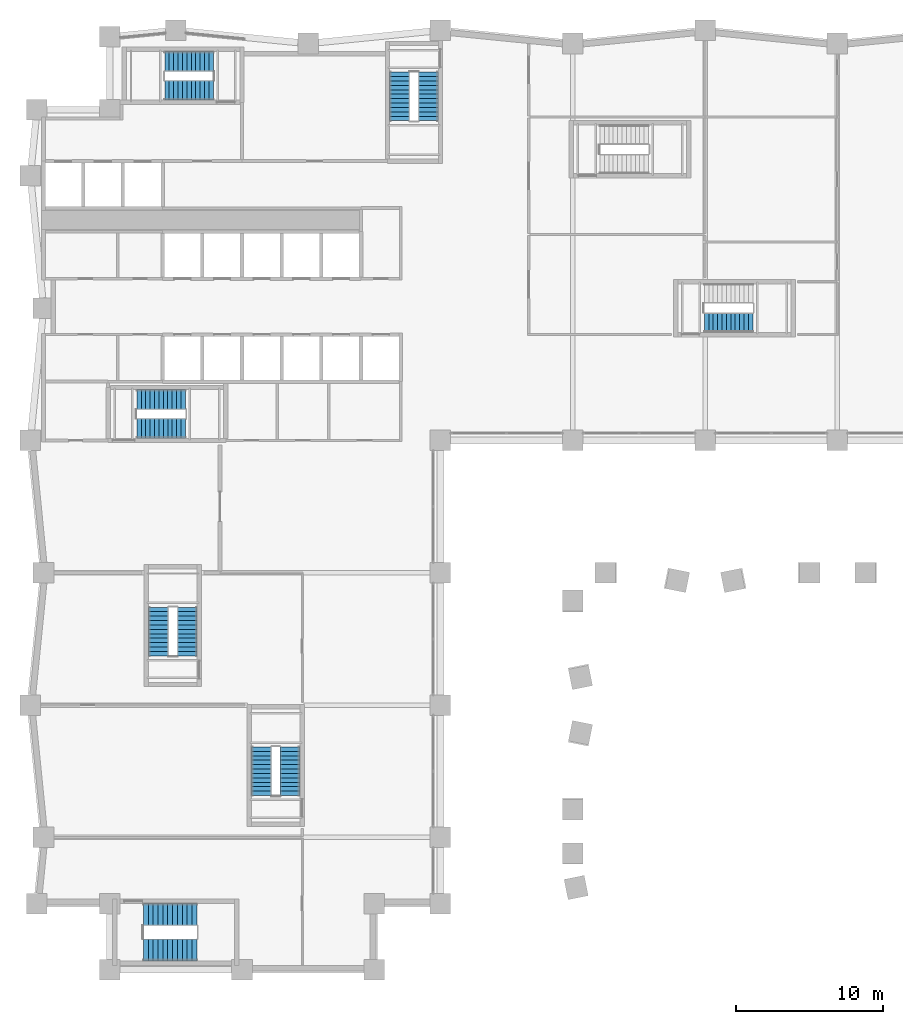
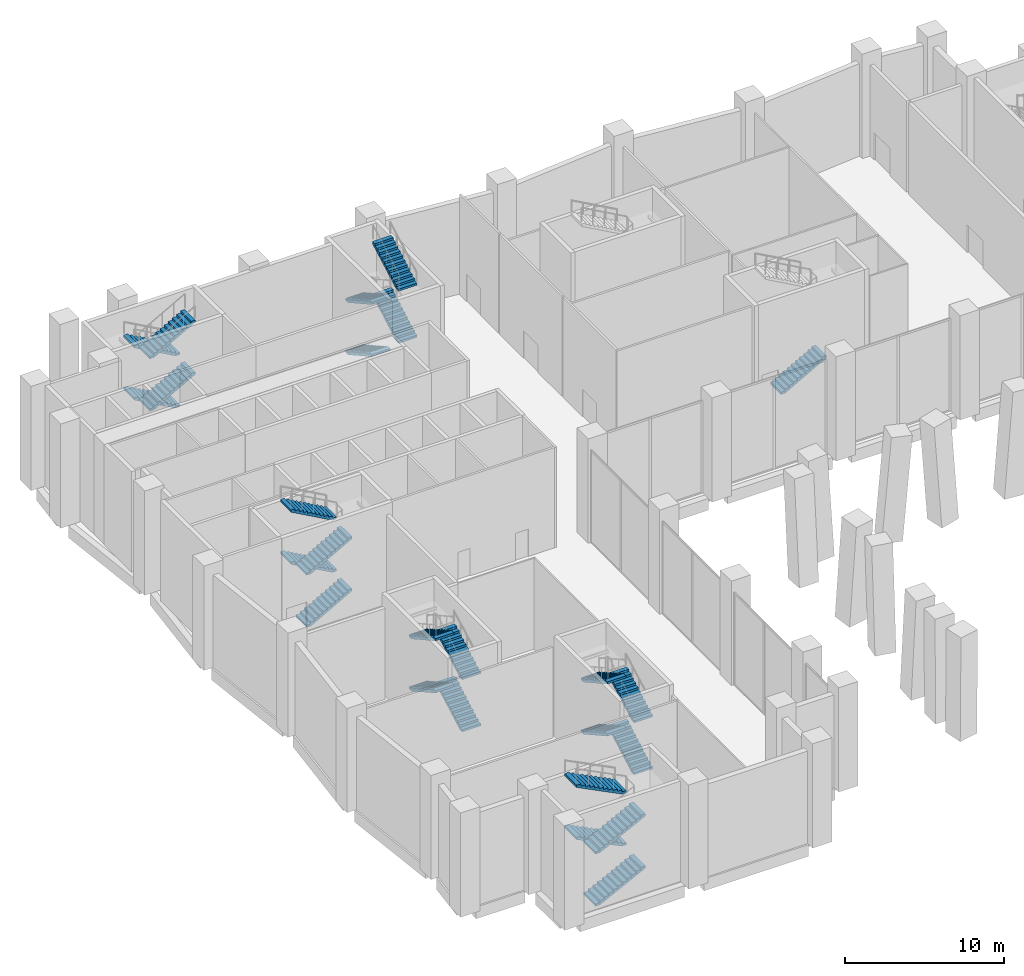
# One storey, part 14 of 19: 25 stair flights, 7 elements without a shape of their own.
"""IFC4 building model written with IfcOpenShell, lengths in metres."""

from ifc_helpers import new_model, si_unit, direction, frame, origin, place, context, subcontext, project, spatial, polyline, outline, extrude, material, type_object, element, aggregate, save


model = new_model("IFC4")

# Units and contexts
model_context = context("Model", 3, precision=1e-05, world=origin(), true_north=direction((0.0, 1.0)))
body_context = subcontext(model_context, "Body", "Model", "MODEL_VIEW")
ifc_project = project(units=[si_unit("LENGTHUNIT", "METRE"), si_unit("AREAUNIT", "SQUARE_METRE"), si_unit("VOLUMEUNIT", "CUBIC_METRE"), si_unit("PLANEANGLEUNIT", "RADIAN"), si_unit("MASSUNIT", "GRAM", prefix="KILO")], contexts=[model_context])

# Site, building, storey
site_placement = place(None, origin())
site = spatial("IfcSite", under=ifc_project, at=site_placement, CompositionType="ELEMENT")
building_placement = place(site_placement, origin())
building = spatial("IfcBuilding", under=site, at=building_placement, Name="Brondeck Convention Tower", CompositionType="ELEMENT")
storey_placement = place(building_placement, frame((0.0, 0.0, 19.5)))
storey = spatial("IfcBuildingStorey", under=building, at=storey_placement, Name="L03", CompositionType="ELEMENT", Elevation=19.5)

# Stair, stair flights
ifc_material = material(Name="Precast concrete C50/60", Category="concrete")
stair_type_1 = type_object("IfcStairType", Name="Core stair 48 risers 166.67 mm riser 300 mm going 1350 wide", PredefinedType="HALF_TURN_STAIR", material=ifc_material)
stair_1_placement = place(storey_placement, origin())
stair_1 = element("IfcStair", 1, at=stair_1_placement, inside=storey, type_object=stair_type_1, Name="ST-1 L03 stair", PredefinedType="HALF_TURN_STAIR")
stair_flight_type_1 = type_object("IfcStairFlightType", Name="Core stair flight 48 risers 166.67 mm riser 300 mm going 1350 wide", PredefinedType="STRAIGHT", material=ifc_material)
stair_flight_1_placement = place(storey_placement, frame((6.35009765625, 36.824951171875, 0.0), z_axis=(0.0, 0.0, 1.0), x_axis=(1.0, 0.0, 0.0)))
stair_flight_1 = element("IfcStairFlight", 2, at=stair_flight_1_placement, type_object=stair_flight_type_1, Name="ST-1 flight 1", NumberOfRisers=12, NumberOfTreads=11, PredefinedType="STRAIGHT", RiserHeight=0.166666667, TreadLength=0.3, context=body_context, shape_type="SweptSolid", body=[
    extrude(outline(polyline([(0.0, 0.0), (0.0, 0.166748046875), (0.300048828125, 0.166748046875), (0.300048828125, 0.333251953125), (0.60009765625, 0.333251953125), (0.60009765625, 0.5), (0.89990234375, 0.5), (0.89990234375, 0.666748046875), (1.199951171875, 0.666748046875), (1.199951171875, 0.833251953125), (1.5, 0.833251953125), (1.5, 1.0), (1.800048828125, 1.0), (1.800048828125, 1.166748046875), (2.10009765625, 1.166748046875), (2.10009765625, 1.333251953125), (2.39990234375, 1.333251953125), (2.39990234375, 1.5), (2.699951171875, 1.5), (2.699951171875, 1.666748046875), (3.0, 1.666748046875), (3.0, 1.833251953125), (3.300048828125, 1.833251953125), (3.300048828125, 2.0), (3.300048828125, 1.661865234375), (0.30859375, 0.0), (0.0, 0.0)])), frame((0.0, 0.675048828125, 0.0), z_axis=(0.0, -1.0, 0.0), x_axis=(1.0, 0.0, 0.0)), (0.0, 0.0, 1.0), 1.35009765625),
])
stair_flight_2_placement = place(storey_placement, frame((9.64990234375, 38.77490234375, 2.0), z_axis=(0.0, 0.0, 1.0), x_axis=(-1.0, 0.0, 0.0)))
stair_flight_2 = element("IfcStairFlight", 3, at=stair_flight_2_placement, type_object=stair_flight_type_1, Name="ST-1 flight 2", NumberOfRisers=12, NumberOfTreads=11, PredefinedType="STRAIGHT", RiserHeight=0.166666667, TreadLength=0.3, context=body_context, shape_type="SweptSolid", body=[
    extrude(outline(polyline([(0.0, 0.0), (0.0, 0.166748046875), (0.300048828125, 0.166748046875), (0.300048828125, 0.333251953125), (0.60009765625, 0.333251953125), (0.60009765625, 0.5), (0.89990234375, 0.5), (0.89990234375, 0.666748046875), (1.199951171875, 0.666748046875), (1.199951171875, 0.833251953125), (1.5, 0.833251953125), (1.5, 1.0), (1.800048828125, 1.0), (1.800048828125, 1.166748046875), (2.10009765625, 1.166748046875), (2.10009765625, 1.333251953125), (2.39990234375, 1.333251953125), (2.39990234375, 1.5), (2.699951171875, 1.5), (2.699951171875, 1.666748046875), (3.0, 1.666748046875), (3.0, 1.833251953125), (3.300048828125, 1.833251953125), (3.300048828125, 2.0), (3.300048828125, 1.661865234375), (0.30859375, 0.0), (0.0, 0.0)])), frame((0.0, 0.675048828125, 0.0), z_axis=(0.0, -1.0, 0.0), x_axis=(1.0, 0.0, 0.0)), (0.0, 0.0, 1.0), 1.35009765625),
])
stair_flight_3_placement = place(storey_placement, frame((6.35009765625, 36.824951171875, 4.0), z_axis=(0.0, 0.0, 1.0), x_axis=(1.0, 0.0, 0.0)))
stair_flight_3 = element("IfcStairFlight", 4, at=stair_flight_3_placement, type_object=stair_flight_type_1, Name="ST-1 flight 3", NumberOfRisers=12, NumberOfTreads=11, PredefinedType="STRAIGHT", RiserHeight=0.166666667, TreadLength=0.3, context=body_context, shape_type="SweptSolid", body=[
    extrude(outline(polyline([(0.0, 0.0), (0.0, 0.166748046875), (0.300048828125, 0.166748046875), (0.300048828125, 0.333251953125), (0.60009765625, 0.333251953125), (0.60009765625, 0.5), (0.89990234375, 0.5), (0.89990234375, 0.666748046875), (1.199951171875, 0.666748046875), (1.199951171875, 0.833251953125), (1.5, 0.833251953125), (1.5, 1.0), (1.800048828125, 1.0), (1.800048828125, 1.166748046875), (2.10009765625, 1.166748046875), (2.10009765625, 1.333251953125), (2.39990234375, 1.333251953125), (2.39990234375, 1.5), (2.699951171875, 1.5), (2.699951171875, 1.666748046875), (3.0, 1.666748046875), (3.0, 1.833251953125), (3.300048828125, 1.833251953125), (3.300048828125, 2.0), (3.300048828125, 1.661865234375), (0.30859375, 0.0), (0.0, 0.0)])), frame((0.0, 0.675048828125, 0.0), z_axis=(0.0, -1.0, 0.0), x_axis=(1.0, 0.0, 0.0)), (0.0, 0.0, 1.0), 1.35009765625),
])
stair_flight_4_placement = place(storey_placement, frame((9.64990234375, 38.77490234375, 6.0), z_axis=(0.0, 0.0, 1.0), x_axis=(-1.0, 0.0, 0.0)))
stair_flight_4 = element("IfcStairFlight", 5, at=stair_flight_4_placement, type_object=stair_flight_type_1, Name="ST-1 flight 4", NumberOfRisers=12, NumberOfTreads=11, PredefinedType="STRAIGHT", RiserHeight=0.166666667, TreadLength=0.3, context=body_context, shape_type="SweptSolid", body=[
    extrude(outline(polyline([(0.0, 0.0), (0.0, 0.166748046875), (0.300048828125, 0.166748046875), (0.300048828125, 0.333251953125), (0.60009765625, 0.333251953125), (0.60009765625, 0.5), (0.89990234375, 0.5), (0.89990234375, 0.666748046875), (1.199951171875, 0.666748046875), (1.199951171875, 0.833251953125), (1.5, 0.833251953125), (1.5, 1.0), (1.800048828125, 1.0), (1.800048828125, 1.166748046875), (2.10009765625, 1.166748046875), (2.10009765625, 1.333251953125), (2.39990234375, 1.333251953125), (2.39990234375, 1.5), (2.699951171875, 1.5), (2.699951171875, 1.666748046875), (3.0, 1.666748046875), (3.0, 1.833251953125), (3.300048828125, 1.833251953125), (3.300048828125, 2.0), (3.300048828125, 1.661865234375), (0.30859375, 0.0), (0.0, 0.0)])), frame((0.0, 0.675048828125, 0.0), z_axis=(0.0, -1.0, 0.0), x_axis=(1.0, 0.0, 0.0)), (0.0, 0.0, 1.0), 1.35009765625),
])
aggregate(stair_1, [stair_flight_1, stair_flight_2, stair_flight_3, stair_flight_4])

stair_2_placement = place(storey_placement, origin())
stair_2 = element("IfcStair", 6, at=stair_2_placement, inside=storey, type_object=stair_type_1, Name="ST-2 L03 stair", PredefinedType="HALF_TURN_STAIR")
stair_flight_5_placement = place(storey_placement, frame((24.22509765625, 61.050048828125, 0.0), z_axis=(0.0, 0.0, 1.0), x_axis=(0.0, -1.0, 0.0)))
stair_flight_5 = element("IfcStairFlight", 7, at=stair_flight_5_placement, type_object=stair_flight_type_1, Name="ST-2 flight 1", NumberOfRisers=12, NumberOfTreads=11, PredefinedType="STRAIGHT", RiserHeight=0.166666667, TreadLength=0.3, context=body_context, shape_type="SweptSolid", body=[
    extrude(outline(polyline([(0.0, 0.0), (0.0, 0.166748046875), (0.300048828125, 0.166748046875), (0.300048828125, 0.333251953125), (0.60009765625, 0.333251953125), (0.60009765625, 0.5), (0.89990234375, 0.5), (0.89990234375, 0.666748046875), (1.199951171875, 0.666748046875), (1.199951171875, 0.833251953125), (1.5, 0.833251953125), (1.5, 1.0), (1.800048828125, 1.0), (1.800048828125, 1.166748046875), (2.10009765625, 1.166748046875), (2.10009765625, 1.333251953125), (2.39990234375, 1.333251953125), (2.39990234375, 1.5), (2.699951171875, 1.5), (2.699951171875, 1.666748046875), (3.0, 1.666748046875), (3.0, 1.833251953125), (3.300048828125, 1.833251953125), (3.300048828125, 2.0), (3.300048828125, 1.661865234375), (0.30859375, 0.0), (0.0, 0.0)])), frame((0.0, 0.675048828125, 0.0), z_axis=(0.0, -1.0, 0.0), x_axis=(1.0, 0.0, 0.0)), (0.0, 0.0, 1.0), 1.35009765625),
])
stair_flight_6_placement = place(storey_placement, frame((26.175048828125, 57.75, 2.0), z_axis=(0.0, 0.0, 1.0), x_axis=(0.0, 1.0, 0.0)))
stair_flight_6 = element("IfcStairFlight", 8, at=stair_flight_6_placement, type_object=stair_flight_type_1, Name="ST-2 flight 2", NumberOfRisers=12, NumberOfTreads=11, PredefinedType="STRAIGHT", RiserHeight=0.166666667, TreadLength=0.3, context=body_context, shape_type="SweptSolid", body=[
    extrude(outline(polyline([(0.0, 0.0), (0.0, 0.166748046875), (0.300048828125, 0.166748046875), (0.300048828125, 0.333251953125), (0.60009765625, 0.333251953125), (0.60009765625, 0.5), (0.89990234375, 0.5), (0.89990234375, 0.666748046875), (1.199951171875, 0.666748046875), (1.199951171875, 0.833251953125), (1.5, 0.833251953125), (1.5, 1.0), (1.800048828125, 1.0), (1.800048828125, 1.166748046875), (2.10009765625, 1.166748046875), (2.10009765625, 1.333251953125), (2.39990234375, 1.333251953125), (2.39990234375, 1.5), (2.699951171875, 1.5), (2.699951171875, 1.666748046875), (3.0, 1.666748046875), (3.0, 1.833251953125), (3.300048828125, 1.833251953125), (3.300048828125, 2.0), (3.300048828125, 1.661865234375), (0.30859375, 0.0), (0.0, 0.0)])), frame((0.0, 0.675048828125, 0.0), z_axis=(0.0, -1.0, 0.0), x_axis=(1.0, 0.0, 0.0)), (0.0, 0.0, 1.0), 1.35009765625),
])
stair_flight_7_placement = place(storey_placement, frame((24.22509765625, 61.050048828125, 4.0), z_axis=(0.0, 0.0, 1.0), x_axis=(0.0, -1.0, 0.0)))
stair_flight_7 = element("IfcStairFlight", 9, at=stair_flight_7_placement, type_object=stair_flight_type_1, Name="ST-2 flight 3", NumberOfRisers=12, NumberOfTreads=11, PredefinedType="STRAIGHT", RiserHeight=0.166666667, TreadLength=0.3, context=body_context, shape_type="SweptSolid", body=[
    extrude(outline(polyline([(0.0, 0.0), (0.0, 0.166748046875), (0.300048828125, 0.166748046875), (0.300048828125, 0.333251953125), (0.60009765625, 0.333251953125), (0.60009765625, 0.5), (0.89990234375, 0.5), (0.89990234375, 0.666748046875), (1.199951171875, 0.666748046875), (1.199951171875, 0.833251953125), (1.5, 0.833251953125), (1.5, 1.0), (1.800048828125, 1.0), (1.800048828125, 1.166748046875), (2.10009765625, 1.166748046875), (2.10009765625, 1.333251953125), (2.39990234375, 1.333251953125), (2.39990234375, 1.5), (2.699951171875, 1.5), (2.699951171875, 1.666748046875), (3.0, 1.666748046875), (3.0, 1.833251953125), (3.300048828125, 1.833251953125), (3.300048828125, 2.0), (3.300048828125, 1.661865234375), (0.30859375, 0.0), (0.0, 0.0)])), frame((0.0, 0.675048828125, 0.0), z_axis=(0.0, -1.0, 0.0), x_axis=(1.0, 0.0, 0.0)), (0.0, 0.0, 1.0), 1.35009765625),
])
stair_flight_8_placement = place(storey_placement, frame((26.175048828125, 57.75, 6.0), z_axis=(0.0, 0.0, 1.0), x_axis=(0.0, 1.0, 0.0)))
stair_flight_8 = element("IfcStairFlight", 10, at=stair_flight_8_placement, type_object=stair_flight_type_1, Name="ST-2 flight 4", NumberOfRisers=12, NumberOfTreads=11, PredefinedType="STRAIGHT", RiserHeight=0.166666667, TreadLength=0.3, context=body_context, shape_type="SweptSolid", body=[
    extrude(outline(polyline([(0.0, 0.0), (0.0, 0.166748046875), (0.300048828125, 0.166748046875), (0.300048828125, 0.333251953125), (0.60009765625, 0.333251953125), (0.60009765625, 0.5), (0.89990234375, 0.5), (0.89990234375, 0.666748046875), (1.199951171875, 0.666748046875), (1.199951171875, 0.833251953125), (1.5, 0.833251953125), (1.5, 1.0), (1.800048828125, 1.0), (1.800048828125, 1.166748046875), (2.10009765625, 1.166748046875), (2.10009765625, 1.333251953125), (2.39990234375, 1.333251953125), (2.39990234375, 1.5), (2.699951171875, 1.5), (2.699951171875, 1.666748046875), (3.0, 1.666748046875), (3.0, 1.833251953125), (3.300048828125, 1.833251953125), (3.300048828125, 2.0), (3.300048828125, 1.661865234375), (0.30859375, 0.0), (0.0, 0.0)])), frame((0.0, 0.675048828125, 0.0), z_axis=(0.0, -1.0, 0.0), x_axis=(1.0, 0.0, 0.0)), (0.0, 0.0, 1.0), 1.35009765625),
])
aggregate(stair_2, [stair_flight_5, stair_flight_6, stair_flight_7, stair_flight_8])

stair_3_placement = place(storey_placement, origin())
stair_3 = element("IfcStair", 11, at=stair_3_placement, inside=storey, type_object=stair_type_1, Name="ST-3 L03 stair", PredefinedType="HALF_TURN_STAIR")
stair_flight_9_placement = place(storey_placement, frame((11.550048828125, 61.77490234375, 0.0), z_axis=(0.0, 0.0, 1.0), x_axis=(-1.0, 0.0, 0.0)))
stair_flight_9 = element("IfcStairFlight", 12, at=stair_flight_9_placement, type_object=stair_flight_type_1, Name="ST-3 flight 1", NumberOfRisers=12, NumberOfTreads=11, PredefinedType="STRAIGHT", RiserHeight=0.166666667, TreadLength=0.3, context=body_context, shape_type="SweptSolid", body=[
    extrude(outline(polyline([(0.0, 0.0), (0.0, 0.166748046875), (0.300048828125, 0.166748046875), (0.300048828125, 0.333251953125), (0.60009765625, 0.333251953125), (0.60009765625, 0.5), (0.89990234375, 0.5), (0.89990234375, 0.666748046875), (1.199951171875, 0.666748046875), (1.199951171875, 0.833251953125), (1.5, 0.833251953125), (1.5, 1.0), (1.800048828125, 1.0), (1.800048828125, 1.166748046875), (2.10009765625, 1.166748046875), (2.10009765625, 1.333251953125), (2.39990234375, 1.333251953125), (2.39990234375, 1.5), (2.699951171875, 1.5), (2.699951171875, 1.666748046875), (3.0, 1.666748046875), (3.0, 1.833251953125), (3.300048828125, 1.833251953125), (3.300048828125, 2.0), (3.300048828125, 1.661865234375), (0.30859375, 0.0), (0.0, 0.0)])), frame((0.0, 0.675048828125, 0.0), z_axis=(0.0, -1.0, 0.0), x_axis=(1.0, 0.0, 0.0)), (0.0, 0.0, 1.0), 1.35009765625),
])
stair_flight_10_placement = place(storey_placement, frame((8.25, 59.824951171875, 2.0), z_axis=(0.0, 0.0, 1.0), x_axis=(1.0, 0.0, 0.0)))
stair_flight_10 = element("IfcStairFlight", 13, at=stair_flight_10_placement, type_object=stair_flight_type_1, Name="ST-3 flight 2", NumberOfRisers=12, NumberOfTreads=11, PredefinedType="STRAIGHT", RiserHeight=0.166666667, TreadLength=0.3, context=body_context, shape_type="SweptSolid", body=[
    extrude(outline(polyline([(0.0, 0.0), (0.0, 0.166748046875), (0.300048828125, 0.166748046875), (0.300048828125, 0.333251953125), (0.60009765625, 0.333251953125), (0.60009765625, 0.5), (0.89990234375, 0.5), (0.89990234375, 0.666748046875), (1.199951171875, 0.666748046875), (1.199951171875, 0.833251953125), (1.5, 0.833251953125), (1.5, 1.0), (1.800048828125, 1.0), (1.800048828125, 1.166748046875), (2.10009765625, 1.166748046875), (2.10009765625, 1.333251953125), (2.39990234375, 1.333251953125), (2.39990234375, 1.5), (2.699951171875, 1.5), (2.699951171875, 1.666748046875), (3.0, 1.666748046875), (3.0, 1.833251953125), (3.300048828125, 1.833251953125), (3.300048828125, 2.0), (3.300048828125, 1.661865234375), (0.30859375, 0.0), (0.0, 0.0)])), frame((0.0, 0.675048828125, 0.0), z_axis=(0.0, -1.0, 0.0), x_axis=(1.0, 0.0, 0.0)), (0.0, 0.0, 1.0), 1.35009765625),
])
stair_flight_11_placement = place(storey_placement, frame((11.550048828125, 61.77490234375, 4.0), z_axis=(0.0, 0.0, 1.0), x_axis=(-1.0, 0.0, 0.0)))
stair_flight_11 = element("IfcStairFlight", 14, at=stair_flight_11_placement, type_object=stair_flight_type_1, Name="ST-3 flight 3", NumberOfRisers=12, NumberOfTreads=11, PredefinedType="STRAIGHT", RiserHeight=0.166666667, TreadLength=0.3, context=body_context, shape_type="SweptSolid", body=[
    extrude(outline(polyline([(0.0, 0.0), (0.0, 0.166748046875), (0.300048828125, 0.166748046875), (0.300048828125, 0.333251953125), (0.60009765625, 0.333251953125), (0.60009765625, 0.5), (0.89990234375, 0.5), (0.89990234375, 0.666748046875), (1.199951171875, 0.666748046875), (1.199951171875, 0.833251953125), (1.5, 0.833251953125), (1.5, 1.0), (1.800048828125, 1.0), (1.800048828125, 1.166748046875), (2.10009765625, 1.166748046875), (2.10009765625, 1.333251953125), (2.39990234375, 1.333251953125), (2.39990234375, 1.5), (2.699951171875, 1.5), (2.699951171875, 1.666748046875), (3.0, 1.666748046875), (3.0, 1.833251953125), (3.300048828125, 1.833251953125), (3.300048828125, 2.0), (3.300048828125, 1.661865234375), (0.30859375, 0.0), (0.0, 0.0)])), frame((0.0, 0.675048828125, 0.0), z_axis=(0.0, -1.0, 0.0), x_axis=(1.0, 0.0, 0.0)), (0.0, 0.0, 1.0), 1.35009765625),
])
stair_flight_12_placement = place(storey_placement, frame((8.25, 59.824951171875, 6.0), z_axis=(0.0, 0.0, 1.0), x_axis=(1.0, 0.0, 0.0)))
stair_flight_12 = element("IfcStairFlight", 15, at=stair_flight_12_placement, type_object=stair_flight_type_1, Name="ST-3 flight 4", NumberOfRisers=12, NumberOfTreads=11, PredefinedType="STRAIGHT", RiserHeight=0.166666667, TreadLength=0.3, context=body_context, shape_type="SweptSolid", body=[
    extrude(outline(polyline([(0.0, 0.0), (0.0, 0.166748046875), (0.300048828125, 0.166748046875), (0.300048828125, 0.333251953125), (0.60009765625, 0.333251953125), (0.60009765625, 0.5), (0.89990234375, 0.5), (0.89990234375, 0.666748046875), (1.199951171875, 0.666748046875), (1.199951171875, 0.833251953125), (1.5, 0.833251953125), (1.5, 1.0), (1.800048828125, 1.0), (1.800048828125, 1.166748046875), (2.10009765625, 1.166748046875), (2.10009765625, 1.333251953125), (2.39990234375, 1.333251953125), (2.39990234375, 1.5), (2.699951171875, 1.5), (2.699951171875, 1.666748046875), (3.0, 1.666748046875), (3.0, 1.833251953125), (3.300048828125, 1.833251953125), (3.300048828125, 2.0), (3.300048828125, 1.661865234375), (0.30859375, 0.0), (0.0, 0.0)])), frame((0.0, 0.675048828125, 0.0), z_axis=(0.0, -1.0, 0.0), x_axis=(1.0, 0.0, 0.0)), (0.0, 0.0, 1.0), 1.35009765625),
])
aggregate(stair_3, [stair_flight_9, stair_flight_10, stair_flight_11, stair_flight_12])

stair_4_placement = place(storey_placement, origin())
stair_4 = element("IfcStair", 16, at=stair_4_placement, inside=storey, type_object=stair_type_1, Name="ST-BE L03 stair", PredefinedType="HALF_TURN_STAIR")
stair_flight_13_placement = place(storey_placement, frame((9.77490234375, 21.35009765625, 0.0), z_axis=(0.0, 0.0, 1.0), x_axis=(0.0, 1.0, 0.0)))
stair_flight_13 = element("IfcStairFlight", 17, at=stair_flight_13_placement, type_object=stair_flight_type_1, Name="ST-BE flight 1", NumberOfRisers=12, NumberOfTreads=11, PredefinedType="STRAIGHT", RiserHeight=0.166666667, TreadLength=0.3, context=body_context, shape_type="SweptSolid", body=[
    extrude(outline(polyline([(0.0, 0.0), (0.0, 0.166748046875), (0.300048828125, 0.166748046875), (0.300048828125, 0.333251953125), (0.60009765625, 0.333251953125), (0.60009765625, 0.5), (0.89990234375, 0.5), (0.89990234375, 0.666748046875), (1.199951171875, 0.666748046875), (1.199951171875, 0.833251953125), (1.5, 0.833251953125), (1.5, 1.0), (1.800048828125, 1.0), (1.800048828125, 1.166748046875), (2.10009765625, 1.166748046875), (2.10009765625, 1.333251953125), (2.39990234375, 1.333251953125), (2.39990234375, 1.5), (2.699951171875, 1.5), (2.699951171875, 1.666748046875), (3.0, 1.666748046875), (3.0, 1.833251953125), (3.300048828125, 1.833251953125), (3.300048828125, 2.0), (3.300048828125, 1.661865234375), (0.30859375, 0.0), (0.0, 0.0)])), frame((0.0, 0.675048828125, 0.0), z_axis=(0.0, -1.0, 0.0), x_axis=(1.0, 0.0, 0.0)), (0.0, 0.0, 1.0), 1.35009765625),
])
stair_flight_14_placement = place(storey_placement, frame((7.824951171875, 24.64990234375, 2.0), z_axis=(0.0, 0.0, 1.0), x_axis=(0.0, -1.0, 0.0)))
stair_flight_14 = element("IfcStairFlight", 18, at=stair_flight_14_placement, type_object=stair_flight_type_1, Name="ST-BE flight 2", NumberOfRisers=12, NumberOfTreads=11, PredefinedType="STRAIGHT", RiserHeight=0.166666667, TreadLength=0.3, context=body_context, shape_type="SweptSolid", body=[
    extrude(outline(polyline([(0.0, 0.0), (0.0, 0.166748046875), (0.300048828125, 0.166748046875), (0.300048828125, 0.333251953125), (0.60009765625, 0.333251953125), (0.60009765625, 0.5), (0.89990234375, 0.5), (0.89990234375, 0.666748046875), (1.199951171875, 0.666748046875), (1.199951171875, 0.833251953125), (1.5, 0.833251953125), (1.5, 1.0), (1.800048828125, 1.0), (1.800048828125, 1.166748046875), (2.10009765625, 1.166748046875), (2.10009765625, 1.333251953125), (2.39990234375, 1.333251953125), (2.39990234375, 1.5), (2.699951171875, 1.5), (2.699951171875, 1.666748046875), (3.0, 1.666748046875), (3.0, 1.833251953125), (3.300048828125, 1.833251953125), (3.300048828125, 2.0), (3.300048828125, 1.661865234375), (0.30859375, 0.0), (0.0, 0.0)])), frame((0.0, 0.675048828125, 0.0), z_axis=(0.0, -1.0, 0.0), x_axis=(1.0, 0.0, 0.0)), (0.0, 0.0, 1.0), 1.35009765625),
])
stair_flight_15_placement = place(storey_placement, frame((9.77490234375, 21.35009765625, 4.0), z_axis=(0.0, 0.0, 1.0), x_axis=(0.0, 1.0, 0.0)))
stair_flight_15 = element("IfcStairFlight", 19, at=stair_flight_15_placement, type_object=stair_flight_type_1, Name="ST-BE flight 3", NumberOfRisers=12, NumberOfTreads=11, PredefinedType="STRAIGHT", RiserHeight=0.166666667, TreadLength=0.3, context=body_context, shape_type="SweptSolid", body=[
    extrude(outline(polyline([(0.0, 0.0), (0.0, 0.166748046875), (0.300048828125, 0.166748046875), (0.300048828125, 0.333251953125), (0.60009765625, 0.333251953125), (0.60009765625, 0.5), (0.89990234375, 0.5), (0.89990234375, 0.666748046875), (1.199951171875, 0.666748046875), (1.199951171875, 0.833251953125), (1.5, 0.833251953125), (1.5, 1.0), (1.800048828125, 1.0), (1.800048828125, 1.166748046875), (2.10009765625, 1.166748046875), (2.10009765625, 1.333251953125), (2.39990234375, 1.333251953125), (2.39990234375, 1.5), (2.699951171875, 1.5), (2.699951171875, 1.666748046875), (3.0, 1.666748046875), (3.0, 1.833251953125), (3.300048828125, 1.833251953125), (3.300048828125, 2.0), (3.300048828125, 1.661865234375), (0.30859375, 0.0), (0.0, 0.0)])), frame((0.0, 0.675048828125, 0.0), z_axis=(0.0, -1.0, 0.0), x_axis=(1.0, 0.0, 0.0)), (0.0, 0.0, 1.0), 1.35009765625),
])
stair_flight_16_placement = place(storey_placement, frame((7.824951171875, 24.64990234375, 6.0), z_axis=(0.0, 0.0, 1.0), x_axis=(0.0, -1.0, 0.0)))
stair_flight_16 = element("IfcStairFlight", 20, at=stair_flight_16_placement, type_object=stair_flight_type_1, Name="ST-BE flight 4", NumberOfRisers=12, NumberOfTreads=11, PredefinedType="STRAIGHT", RiserHeight=0.166666667, TreadLength=0.3, context=body_context, shape_type="SweptSolid", body=[
    extrude(outline(polyline([(0.0, 0.0), (0.0, 0.166748046875), (0.300048828125, 0.166748046875), (0.300048828125, 0.333251953125), (0.60009765625, 0.333251953125), (0.60009765625, 0.5), (0.89990234375, 0.5), (0.89990234375, 0.666748046875), (1.199951171875, 0.666748046875), (1.199951171875, 0.833251953125), (1.5, 0.833251953125), (1.5, 1.0), (1.800048828125, 1.0), (1.800048828125, 1.166748046875), (2.10009765625, 1.166748046875), (2.10009765625, 1.333251953125), (2.39990234375, 1.333251953125), (2.39990234375, 1.5), (2.699951171875, 1.5), (2.699951171875, 1.666748046875), (3.0, 1.666748046875), (3.0, 1.833251953125), (3.300048828125, 1.833251953125), (3.300048828125, 2.0), (3.300048828125, 1.661865234375), (0.30859375, 0.0), (0.0, 0.0)])), frame((0.0, 0.675048828125, 0.0), z_axis=(0.0, -1.0, 0.0), x_axis=(1.0, 0.0, 0.0)), (0.0, 0.0, 1.0), 1.35009765625),
])
aggregate(stair_4, [stair_flight_13, stair_flight_14, stair_flight_15, stair_flight_16])

# Stair, stair flight
stair_5_placement = place(storey_placement, origin())
stair_5 = element("IfcStair", 21, at=stair_5_placement, inside=storey, type_object=stair_type_1, Name="ST-AF L03 stair", PredefinedType="HALF_TURN_STAIR")
stair_flight_17_placement = place(storey_placement, frame((44.949951171875, 44.02490234375, 0.0), z_axis=(0.0, 0.0, 1.0), x_axis=(1.0, 0.0, 0.0)))
stair_flight_17 = element("IfcStairFlight", 22, at=stair_flight_17_placement, type_object=stair_flight_type_1, Name="ST-AF flight 1", NumberOfRisers=12, NumberOfTreads=11, PredefinedType="STRAIGHT", RiserHeight=0.166666667, TreadLength=0.3, context=body_context, shape_type="SweptSolid", body=[
    extrude(outline(polyline([(0.0, 0.0), (0.0, 0.166748046875), (0.300048828125, 0.166748046875), (0.300048828125, 0.333251953125), (0.60009765625, 0.333251953125), (0.60009765625, 0.5), (0.89990234375, 0.5), (0.89990234375, 0.666748046875), (1.199951171875, 0.666748046875), (1.199951171875, 0.833251953125), (1.5, 0.833251953125), (1.5, 1.0), (1.800048828125, 1.0), (1.800048828125, 1.166748046875), (2.10009765625, 1.166748046875), (2.10009765625, 1.333251953125), (2.39990234375, 1.333251953125), (2.39990234375, 1.5), (2.699951171875, 1.5), (2.699951171875, 1.666748046875), (3.0, 1.666748046875), (3.0, 1.833251953125), (3.300048828125, 1.833251953125), (3.300048828125, 2.0), (3.300048828125, 1.661865234375), (0.30859375, 0.0), (0.0, 0.0)])), frame((0.0, 0.675048828125, 0.0), z_axis=(0.0, -1.0, 0.0), x_axis=(1.0, 0.0, 0.0)), (0.0, 0.0, 1.0), 1.35009765625),
])
aggregate(stair_5, [stair_flight_17])

# Stair, stair flights
stair_6_placement = place(storey_placement, origin())
stair_6 = element("IfcStair", 23, at=stair_6_placement, inside=storey, type_object=stair_type_1, Name="ST-BF L03 stair", PredefinedType="HALF_TURN_STAIR")
stair_flight_18_placement = place(storey_placement, frame((16.77490234375, 11.85009765625, 0.0), z_axis=(0.0, 0.0, 1.0), x_axis=(0.0, 1.0, 0.0)))
stair_flight_18 = element("IfcStairFlight", 24, at=stair_flight_18_placement, type_object=stair_flight_type_1, Name="ST-BF flight 1", NumberOfRisers=12, NumberOfTreads=11, PredefinedType="STRAIGHT", RiserHeight=0.166666667, TreadLength=0.3, context=body_context, shape_type="SweptSolid", body=[
    extrude(outline(polyline([(0.0, 0.0), (0.0, 0.166748046875), (0.300048828125, 0.166748046875), (0.300048828125, 0.333251953125), (0.60009765625, 0.333251953125), (0.60009765625, 0.5), (0.89990234375, 0.5), (0.89990234375, 0.666748046875), (1.199951171875, 0.666748046875), (1.199951171875, 0.833251953125), (1.5, 0.833251953125), (1.5, 1.0), (1.800048828125, 1.0), (1.800048828125, 1.166748046875), (2.10009765625, 1.166748046875), (2.10009765625, 1.333251953125), (2.39990234375, 1.333251953125), (2.39990234375, 1.5), (2.699951171875, 1.5), (2.699951171875, 1.666748046875), (3.0, 1.666748046875), (3.0, 1.833251953125), (3.300048828125, 1.833251953125), (3.300048828125, 2.0), (3.300048828125, 1.661865234375), (0.30859375, 0.0), (0.0, 0.0)])), frame((0.0, 0.675048828125, 0.0), z_axis=(0.0, -1.0, 0.0), x_axis=(1.0, 0.0, 0.0)), (0.0, 0.0, 1.0), 1.35009765625),
])
stair_flight_19_placement = place(storey_placement, frame((14.824951171875, 15.14990234375, 2.0), z_axis=(0.0, 0.0, 1.0), x_axis=(0.0, -1.0, 0.0)))
stair_flight_19 = element("IfcStairFlight", 25, at=stair_flight_19_placement, type_object=stair_flight_type_1, Name="ST-BF flight 2", NumberOfRisers=12, NumberOfTreads=11, PredefinedType="STRAIGHT", RiserHeight=0.166666667, TreadLength=0.3, context=body_context, shape_type="SweptSolid", body=[
    extrude(outline(polyline([(0.0, 0.0), (0.0, 0.166748046875), (0.300048828125, 0.166748046875), (0.300048828125, 0.333251953125), (0.60009765625, 0.333251953125), (0.60009765625, 0.5), (0.89990234375, 0.5), (0.89990234375, 0.666748046875), (1.199951171875, 0.666748046875), (1.199951171875, 0.833251953125), (1.5, 0.833251953125), (1.5, 1.0), (1.800048828125, 1.0), (1.800048828125, 1.166748046875), (2.10009765625, 1.166748046875), (2.10009765625, 1.333251953125), (2.39990234375, 1.333251953125), (2.39990234375, 1.5), (2.699951171875, 1.5), (2.699951171875, 1.666748046875), (3.0, 1.666748046875), (3.0, 1.833251953125), (3.300048828125, 1.833251953125), (3.300048828125, 2.0), (3.300048828125, 1.661865234375), (0.30859375, 0.0), (0.0, 0.0)])), frame((0.0, 0.675048828125, 0.0), z_axis=(0.0, -1.0, 0.0), x_axis=(1.0, 0.0, 0.0)), (0.0, 0.0, 1.0), 1.35009765625),
])
stair_flight_20_placement = place(storey_placement, frame((16.77490234375, 11.85009765625, 4.0), z_axis=(0.0, 0.0, 1.0), x_axis=(0.0, 1.0, 0.0)))
stair_flight_20 = element("IfcStairFlight", 26, at=stair_flight_20_placement, type_object=stair_flight_type_1, Name="ST-BF flight 3", NumberOfRisers=12, NumberOfTreads=11, PredefinedType="STRAIGHT", RiserHeight=0.166666667, TreadLength=0.3, context=body_context, shape_type="SweptSolid", body=[
    extrude(outline(polyline([(0.0, 0.0), (0.0, 0.166748046875), (0.300048828125, 0.166748046875), (0.300048828125, 0.333251953125), (0.60009765625, 0.333251953125), (0.60009765625, 0.5), (0.89990234375, 0.5), (0.89990234375, 0.666748046875), (1.199951171875, 0.666748046875), (1.199951171875, 0.833251953125), (1.5, 0.833251953125), (1.5, 1.0), (1.800048828125, 1.0), (1.800048828125, 1.166748046875), (2.10009765625, 1.166748046875), (2.10009765625, 1.333251953125), (2.39990234375, 1.333251953125), (2.39990234375, 1.5), (2.699951171875, 1.5), (2.699951171875, 1.666748046875), (3.0, 1.666748046875), (3.0, 1.833251953125), (3.300048828125, 1.833251953125), (3.300048828125, 2.0), (3.300048828125, 1.661865234375), (0.30859375, 0.0), (0.0, 0.0)])), frame((0.0, 0.675048828125, 0.0), z_axis=(0.0, -1.0, 0.0), x_axis=(1.0, 0.0, 0.0)), (0.0, 0.0, 1.0), 1.35009765625),
])
stair_flight_21_placement = place(storey_placement, frame((14.824951171875, 15.14990234375, 6.0), z_axis=(0.0, 0.0, 1.0), x_axis=(0.0, -1.0, 0.0)))
stair_flight_21 = element("IfcStairFlight", 27, at=stair_flight_21_placement, type_object=stair_flight_type_1, Name="ST-BF flight 4", NumberOfRisers=12, NumberOfTreads=11, PredefinedType="STRAIGHT", RiserHeight=0.166666667, TreadLength=0.3, context=body_context, shape_type="SweptSolid", body=[
    extrude(outline(polyline([(0.0, 0.0), (0.0, 0.166748046875), (0.300048828125, 0.166748046875), (0.300048828125, 0.333251953125), (0.60009765625, 0.333251953125), (0.60009765625, 0.5), (0.89990234375, 0.5), (0.89990234375, 0.666748046875), (1.199951171875, 0.666748046875), (1.199951171875, 0.833251953125), (1.5, 0.833251953125), (1.5, 1.0), (1.800048828125, 1.0), (1.800048828125, 1.166748046875), (2.10009765625, 1.166748046875), (2.10009765625, 1.333251953125), (2.39990234375, 1.333251953125), (2.39990234375, 1.5), (2.699951171875, 1.5), (2.699951171875, 1.666748046875), (3.0, 1.666748046875), (3.0, 1.833251953125), (3.300048828125, 1.833251953125), (3.300048828125, 2.0), (3.300048828125, 1.661865234375), (0.30859375, 0.0), (0.0, 0.0)])), frame((0.0, 0.675048828125, 0.0), z_axis=(0.0, -1.0, 0.0), x_axis=(1.0, 0.0, 0.0)), (0.0, 0.0, 1.0), 1.35009765625),
])
aggregate(stair_6, [stair_flight_18, stair_flight_19, stair_flight_20, stair_flight_21])

stair_type_2 = type_object("IfcStairType", Name="Core stair 48 risers 166.67 mm riser 330 mm going 1500 wide", PredefinedType="HALF_TURN_STAIR", material=ifc_material)
stair_7_placement = place(storey_placement, origin())
stair_7 = element("IfcStair", 28, at=stair_7_placement, inside=storey, type_object=stair_type_2, Name="PS-2 L03 stair", PredefinedType="HALF_TURN_STAIR")
stair_flight_type_2 = type_object("IfcStairFlightType", Name="Core stair flight 48 risers 166.67 mm riser 330 mm going 1500 wide", PredefinedType="STRAIGHT", material=ifc_material)
stair_flight_22_placement = place(storey_placement, frame((6.800048828125, 1.35009765625, 0.0), z_axis=(0.0, 0.0, 1.0), x_axis=(1.0, 0.0, 0.0)))
stair_flight_22 = element("IfcStairFlight", 29, at=stair_flight_22_placement, type_object=stair_flight_type_2, Name="PS-2 flight 1", NumberOfRisers=12, NumberOfTreads=11, PredefinedType="STRAIGHT", RiserHeight=0.166666667, TreadLength=0.33, context=body_context, shape_type="SweptSolid", body=[
    extrude(outline(polyline([(0.0, 0.0), (0.0, 0.166748046875), (0.330078125, 0.166748046875), (0.330078125, 0.333251953125), (0.659912109375, 0.333251953125), (0.659912109375, 0.5), (0.989990234375, 0.5), (0.989990234375, 0.666748046875), (1.320068359375, 0.666748046875), (1.320068359375, 0.833251953125), (1.64990234375, 0.833251953125), (1.64990234375, 1.0), (1.97998046875, 1.0), (1.97998046875, 1.166748046875), (2.31005859375, 1.166748046875), (2.31005859375, 1.333251953125), (2.639892578125, 1.333251953125), (2.639892578125, 1.5), (2.969970703125, 1.5), (2.969970703125, 1.666748046875), (3.300048828125, 1.666748046875), (3.300048828125, 1.833251953125), (3.6298828125, 1.833251953125), (3.6298828125, 2.0), (3.6298828125, 1.665283203125), (0.33251953125, 0.0), (0.0, 0.0)])), frame((0.0, 0.75, 0.0), z_axis=(0.0, -1.0, 0.0), x_axis=(1.0, 0.0, 0.0)), (0.0, 0.0, 1.0), 1.5),
])
stair_flight_23_placement = place(storey_placement, frame((10.429931640625, 3.75, 2.0), z_axis=(0.0, 0.0, 1.0), x_axis=(-1.0, 0.0, 0.0)))
stair_flight_23 = element("IfcStairFlight", 30, at=stair_flight_23_placement, type_object=stair_flight_type_2, Name="PS-2 flight 2", NumberOfRisers=12, NumberOfTreads=11, PredefinedType="STRAIGHT", RiserHeight=0.166666667, TreadLength=0.33, context=body_context, shape_type="SweptSolid", body=[
    extrude(outline(polyline([(0.0, 0.0), (0.0, 0.166748046875), (0.330078125, 0.166748046875), (0.330078125, 0.333251953125), (0.659912109375, 0.333251953125), (0.659912109375, 0.5), (0.989990234375, 0.5), (0.989990234375, 0.666748046875), (1.320068359375, 0.666748046875), (1.320068359375, 0.833251953125), (1.64990234375, 0.833251953125), (1.64990234375, 1.0), (1.97998046875, 1.0), (1.97998046875, 1.166748046875), (2.31005859375, 1.166748046875), (2.31005859375, 1.333251953125), (2.639892578125, 1.333251953125), (2.639892578125, 1.5), (2.969970703125, 1.5), (2.969970703125, 1.666748046875), (3.300048828125, 1.666748046875), (3.300048828125, 1.833251953125), (3.6298828125, 1.833251953125), (3.6298828125, 2.0), (3.6298828125, 1.665283203125), (0.33251953125, 0.0), (0.0, 0.0)])), frame((0.0, 0.75, 0.0), z_axis=(0.0, -1.0, 0.0), x_axis=(1.0, 0.0, 0.0)), (0.0, 0.0, 1.0), 1.5),
])
stair_flight_24_placement = place(storey_placement, frame((6.800048828125, 1.35009765625, 4.0), z_axis=(0.0, 0.0, 1.0), x_axis=(1.0, 0.0, 0.0)))
stair_flight_24 = element("IfcStairFlight", 31, at=stair_flight_24_placement, type_object=stair_flight_type_2, Name="PS-2 flight 3", NumberOfRisers=12, NumberOfTreads=11, PredefinedType="STRAIGHT", RiserHeight=0.166666667, TreadLength=0.33, context=body_context, shape_type="SweptSolid", body=[
    extrude(outline(polyline([(0.0, 0.0), (0.0, 0.166748046875), (0.330078125, 0.166748046875), (0.330078125, 0.333251953125), (0.659912109375, 0.333251953125), (0.659912109375, 0.5), (0.989990234375, 0.5), (0.989990234375, 0.666748046875), (1.320068359375, 0.666748046875), (1.320068359375, 0.833251953125), (1.64990234375, 0.833251953125), (1.64990234375, 1.0), (1.97998046875, 1.0), (1.97998046875, 1.166748046875), (2.31005859375, 1.166748046875), (2.31005859375, 1.333251953125), (2.639892578125, 1.333251953125), (2.639892578125, 1.5), (2.969970703125, 1.5), (2.969970703125, 1.666748046875), (3.300048828125, 1.666748046875), (3.300048828125, 1.833251953125), (3.6298828125, 1.833251953125), (3.6298828125, 2.0), (3.6298828125, 1.665283203125), (0.33251953125, 0.0), (0.0, 0.0)])), frame((0.0, 0.75, 0.0), z_axis=(0.0, -1.0, 0.0), x_axis=(1.0, 0.0, 0.0)), (0.0, 0.0, 1.0), 1.5),
])
stair_flight_25_placement = place(storey_placement, frame((10.429931640625, 3.75, 6.0), z_axis=(0.0, 0.0, 1.0), x_axis=(-1.0, 0.0, 0.0)))
stair_flight_25 = element("IfcStairFlight", 32, at=stair_flight_25_placement, type_object=stair_flight_type_2, Name="PS-2 flight 4", NumberOfRisers=12, NumberOfTreads=11, PredefinedType="STRAIGHT", RiserHeight=0.166666667, TreadLength=0.33, context=body_context, shape_type="SweptSolid", body=[
    extrude(outline(polyline([(0.0, 0.0), (0.0, 0.166748046875), (0.330078125, 0.166748046875), (0.330078125, 0.333251953125), (0.659912109375, 0.333251953125), (0.659912109375, 0.5), (0.989990234375, 0.5), (0.989990234375, 0.666748046875), (1.320068359375, 0.666748046875), (1.320068359375, 0.833251953125), (1.64990234375, 0.833251953125), (1.64990234375, 1.0), (1.97998046875, 1.0), (1.97998046875, 1.166748046875), (2.31005859375, 1.166748046875), (2.31005859375, 1.333251953125), (2.639892578125, 1.333251953125), (2.639892578125, 1.5), (2.969970703125, 1.5), (2.969970703125, 1.666748046875), (3.300048828125, 1.666748046875), (3.300048828125, 1.833251953125), (3.6298828125, 1.833251953125), (3.6298828125, 2.0), (3.6298828125, 1.665283203125), (0.33251953125, 0.0), (0.0, 0.0)])), frame((0.0, 0.75, 0.0), z_axis=(0.0, -1.0, 0.0), x_axis=(1.0, 0.0, 0.0)), (0.0, 0.0, 1.0), 1.5),
])
aggregate(stair_7, [stair_flight_22, stair_flight_23, stair_flight_24, stair_flight_25])

save(model, "model.ifc")
